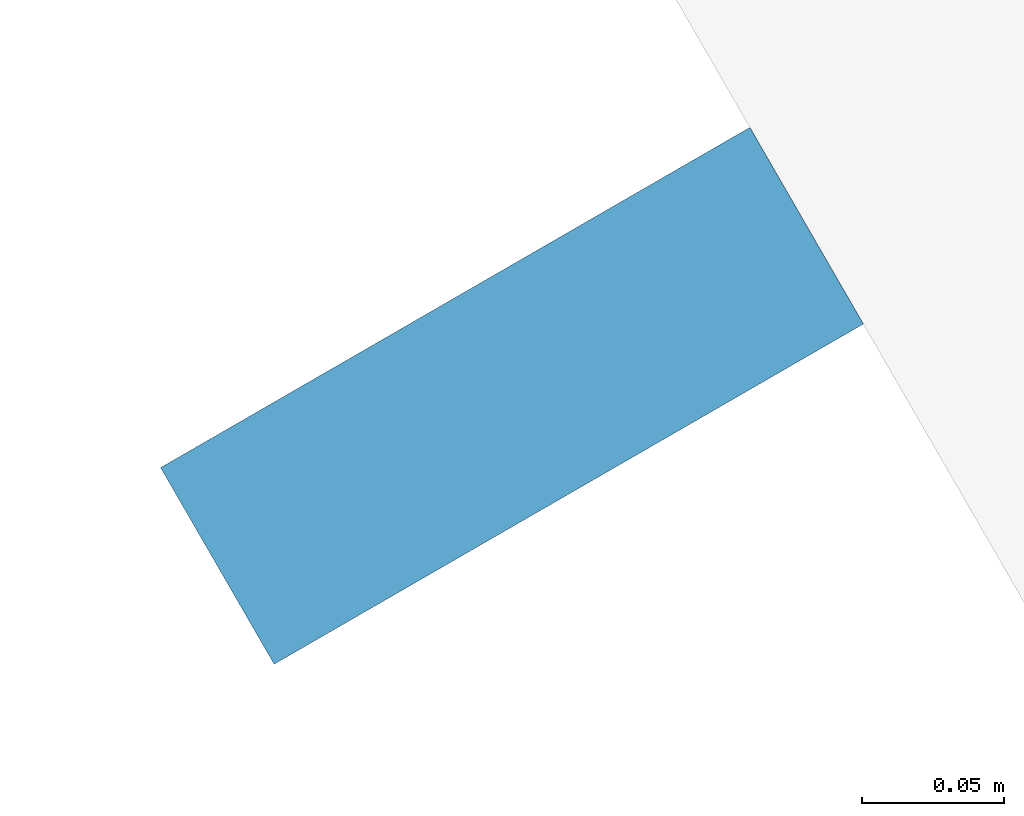
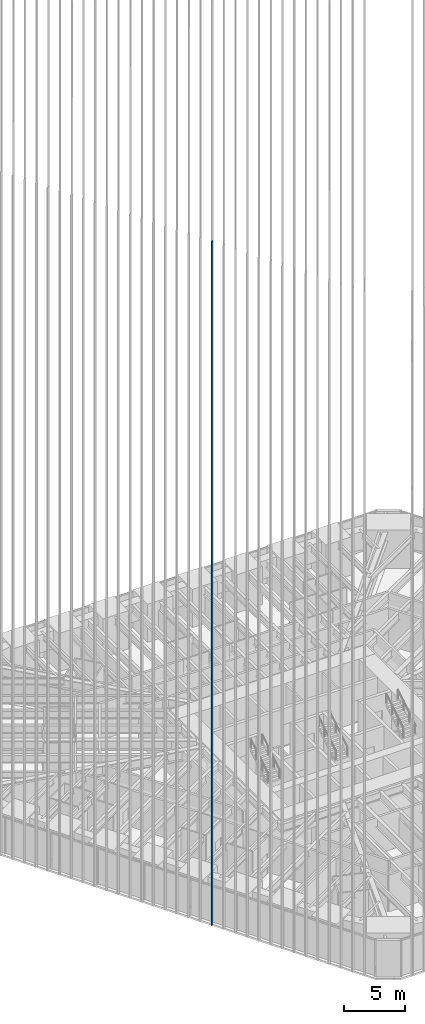
# One storey, part 9 of 256: 1 member, 1 element without a shape of its own.
"""IFC4 building model written with IfcOpenShell, lengths in metres."""

from ifc_helpers import new_model, si_unit, direction, frame, origin, origin_2d, place, context, subcontext, project, spatial, rectangle, extrude, material, material_profile, profile_set, type_object, element, aggregate, save


model = new_model("IFC4")

# Units and contexts
model_context = context("Model", 3, precision=1e-05, world=origin(), true_north=direction((0.0, 1.0)))
body_context = subcontext(model_context, "Body", "Model", "MODEL_VIEW")
ifc_project = project(units=[si_unit("LENGTHUNIT", "METRE"), si_unit("AREAUNIT", "SQUARE_METRE"), si_unit("VOLUMEUNIT", "CUBIC_METRE"), si_unit("PLANEANGLEUNIT", "RADIAN"), si_unit("MASSUNIT", "GRAM", prefix="KILO")], contexts=[model_context])

# Site, building, storey
site_placement = place(None, origin())
site = spatial("IfcSite", under=ifc_project, at=site_placement, CompositionType="ELEMENT")
building_placement = place(site_placement, origin())
building = spatial("IfcBuilding", under=site, at=building_placement, Name="Sandreach Pilgrim Tower", CompositionType="ELEMENT")
storey_placement = place(building_placement, frame((0.0, 0.0, 23.0)))
storey = spatial("IfcBuildingStorey", under=building, at=storey_placement, Name="L04", CompositionType="ELEMENT", Elevation=23.0)

# Curtain wall, member
ifc_material_1 = material(Name="Aluminium framed curtain wall", Category="aluminium")
curtain_wall_type = type_object("IfcCurtainWallType", Name="Hostel tower curtain wall", PredefinedType="NOTDEFINED", material=ifc_material_1)
curtain_wall_placement = place(storey_placement, origin())
curtain_wall = element("IfcCurtainWall", 1, at=curtain_wall_placement, inside=storey, type_object=curtain_wall_type, Name="CW-1 L04 SW", PredefinedType="NOTDEFINED")
ifc_material_2 = material(Name="Extruded terracotta on aluminium core", Category="masonry")
ifc_material_profile = material_profile(ifc_material_2, rectangle(XDim=0.080078125, YDim=0.239990234375, at=origin_2d()), Name="TBW 80X240")
ifc_profile_set = profile_set([ifc_material_profile], Name="Extruded terracotta on aluminium core")
member_type = type_object("IfcMemberType", Name="Terracotta baguette west", PredefinedType="USERDEFINED", material=ifc_profile_set)
member_placement = place(storey_placement, frame((-18.89111328125, -16.016845703125, 0.0), z_axis=(0.0, 0.0, 1.0), x_axis=(-0.5, 0.866025403784, 0.0)))
member = element("IfcMember", 2, at=member_placement, type_object=member_type, Name="Baguette Z1 SW14", ObjectType="BAGUETTE", PredefinedType="USERDEFINED", context=body_context, shape_type="SweptSolid", body=[
    extrude(rectangle(XDim=0.080078125, YDim=0.239990234375, at=origin_2d()), origin(), (0.0, 0.0, 1.0), 68.239990234375),
])
aggregate(curtain_wall, [member])

save(model, "model.ifc")
